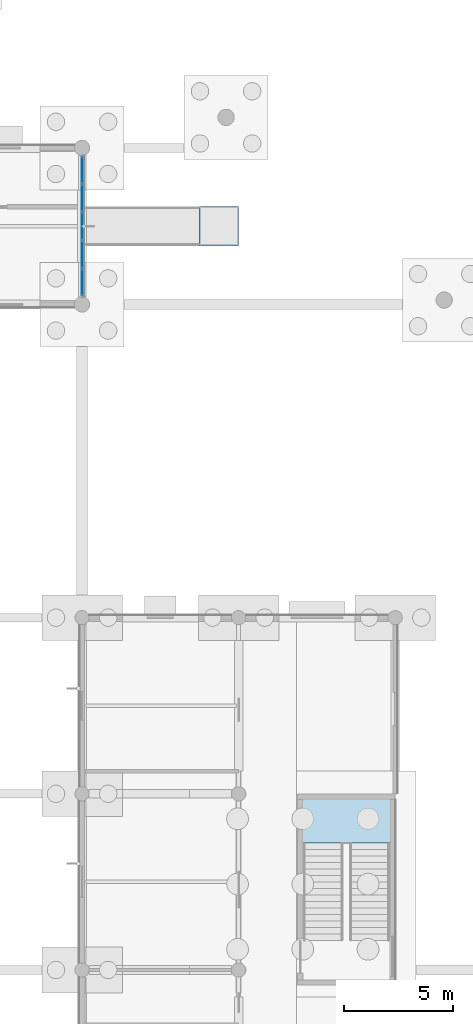
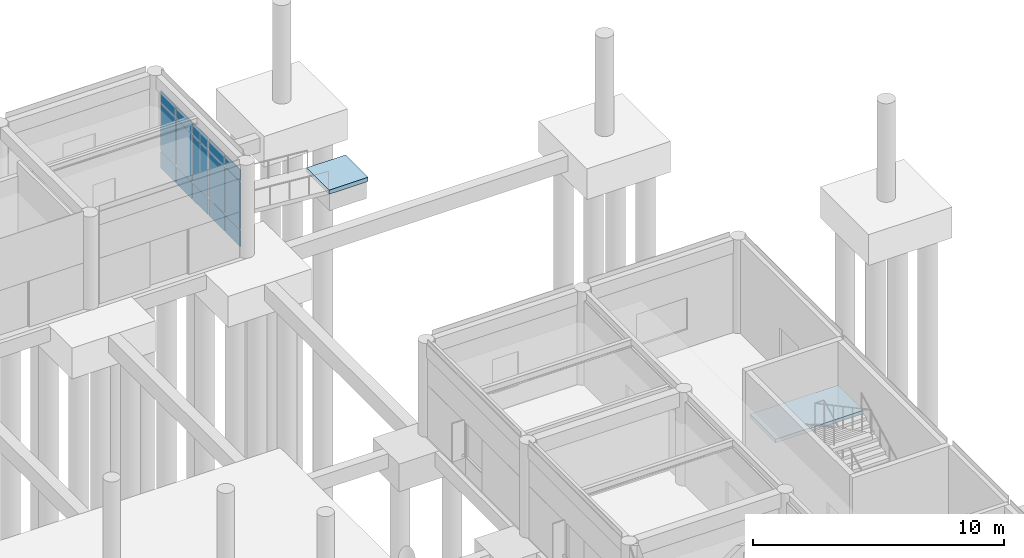
# One storey, part 51 of 103: 15 plates, 2 slabs, 3 elements without a shape of their own.
"""IFC4 building model written with IfcOpenShell, lengths in metres."""

from ifc_helpers import new_model, si_unit, direction, frame, origin, origin_2d, place, context, subcontext, project, spatial, polyline, rectangle, outline, extrude, material, layer, layer_set, type_object, element, aggregate, save


model = new_model("IFC4")

# Units and contexts
model_context = context("Model", 3, precision=1e-05, world=origin(), true_north=direction((0.0, 1.0)))
body_context = subcontext(model_context, "Body", "Model", "MODEL_VIEW")
ifc_project = project(units=[si_unit("LENGTHUNIT", "METRE"), si_unit("AREAUNIT", "SQUARE_METRE"), si_unit("VOLUMEUNIT", "CUBIC_METRE"), si_unit("PLANEANGLEUNIT", "RADIAN"), si_unit("MASSUNIT", "GRAM", prefix="KILO")], contexts=[model_context])

# Site, building, storey
site_placement = place(None, origin())
site = spatial("IfcSite", under=ifc_project, at=site_placement, CompositionType="ELEMENT")
building_placement = place(site_placement, origin())
building = spatial("IfcBuilding", under=site, at=building_placement, Name="Namkhue Oval Health Centre", CompositionType="ELEMENT")
storey_placement = place(building_placement, origin())
storey = spatial("IfcBuildingStorey", under=building, at=storey_placement, Name="L00", CompositionType="ELEMENT", Elevation=0.0)

# Curtain wall, plates
ifc_material_1 = material(Name="Anodised aluminium EN AW-6063 T6", Category="aluminium")
ifc_layer_1 = layer(ifc_material_1, 0.159912109375)
ifc_layer_set_1 = layer_set([ifc_layer_1], Name="Anodised aluminium EN AW-6063 T6")
curtain_wall_type = type_object("IfcCurtainWallType", Name="UNITISED CURTAIN WALL M1200", PredefinedType="NOTDEFINED", material=ifc_layer_set_1)
curtain_wall_placement = place(storey_placement, origin())
curtain_wall = element("IfcCurtainWall", 1, at=curtain_wall_placement, inside=storey, type_object=curtain_wall_type, Name="Volume V3 L00 Unitised Curtain Wall 91", PredefinedType="NOTDEFINED")
ifc_material_2 = material(Name="Insulated anodised aluminium spandrel panel", Category="aluminium")
ifc_layer_2 = layer(ifc_material_2, 0.031982421875)
ifc_layer_set_2 = layer_set([ifc_layer_2], Name="Insulated anodised aluminium spandrel panel")
plate_type = type_object("IfcPlateType", Name="CURTAIN WALL SPANDREL PANEL 32", PredefinedType="CURTAIN_PANEL", material=ifc_layer_set_2)
plate_1_placement = place(storey_placement, frame((136.800048828125, 91.024169921875, 0.06494140625), z_axis=(0.0, 0.0, 1.0), x_axis=(0.0, 1.0, 0.0)))
plate_1 = element("IfcPlate", 2, at=plate_1_placement, type_object=plate_type, Name="CW-01 panel 1.1", PredefinedType="CURTAIN_PANEL", context=body_context, shape_type="SweptSolid", body=[
    extrude(rectangle(XDim=1.198486328125, YDim=0.031982421875, at=origin_2d()), origin(), (0.0, 0.0, 1.0), 0.802490234375),
])
plate_2_placement = place(storey_placement, frame((136.800048828125, 91.024169921875, 0.932373046875), z_axis=(0.0, 0.0, 1.0), x_axis=(0.0, 1.0, 0.0)))
plate_2 = element("IfcPlate", 3, at=plate_2_placement, type_object=plate_type, Name="CW-01 panel 1.2", PredefinedType="CURTAIN_PANEL", context=body_context, shape_type="SweptSolid", body=[
    extrude(rectangle(XDim=1.198486328125, YDim=0.031982421875, at=origin_2d()), origin(), (0.0, 0.0, 1.0), 2.27001953125),
])
plate_3_placement = place(storey_placement, frame((136.800048828125, 91.024169921875, 3.267578125), z_axis=(0.0, 0.0, 1.0), x_axis=(0.0, 1.0, 0.0)))
plate_3 = element("IfcPlate", 4, at=plate_3_placement, type_object=plate_type, Name="CW-01 panel 1.3", PredefinedType="CURTAIN_PANEL", context=body_context, shape_type="SweptSolid", body=[
    extrude(rectangle(XDim=1.198486328125, YDim=0.031982421875, at=origin_2d()), origin(), (0.0, 0.0, 1.0), 0.552490234375),
])
plate_4_placement = place(storey_placement, frame((136.800048828125, 92.303955078125, 0.06494140625), z_axis=(0.0, 0.0, 1.0), x_axis=(0.0, 1.0, 0.0)))
plate_4 = element("IfcPlate", 5, at=plate_4_placement, type_object=plate_type, Name="CW-01 panel 2.1", PredefinedType="CURTAIN_PANEL", context=body_context, shape_type="SweptSolid", body=[
    extrude(rectangle(XDim=1.23095703125, YDim=0.031982421875, at=origin_2d()), origin(), (0.0, 0.0, 1.0), 0.802490234375),
])
plate_5_placement = place(storey_placement, frame((136.800048828125, 92.303955078125, 0.932373046875), z_axis=(0.0, 0.0, 1.0), x_axis=(0.0, 1.0, 0.0)))
plate_5 = element("IfcPlate", 6, at=plate_5_placement, type_object=plate_type, Name="CW-01 panel 2.2", PredefinedType="CURTAIN_PANEL", context=body_context, shape_type="SweptSolid", body=[
    extrude(rectangle(XDim=1.23095703125, YDim=0.031982421875, at=origin_2d()), origin(), (0.0, 0.0, 1.0), 2.27001953125),
])
plate_6_placement = place(storey_placement, frame((136.800048828125, 92.303955078125, 3.267578125), z_axis=(0.0, 0.0, 1.0), x_axis=(0.0, 1.0, 0.0)))
plate_6 = element("IfcPlate", 7, at=plate_6_placement, type_object=plate_type, Name="CW-01 panel 2.3", PredefinedType="CURTAIN_PANEL", context=body_context, shape_type="SweptSolid", body=[
    extrude(rectangle(XDim=1.23095703125, YDim=0.031982421875, at=origin_2d()), origin(), (0.0, 0.0, 1.0), 0.552490234375),
])
plate_7_placement = place(storey_placement, frame((136.800048828125, 93.60009765625, 0.06494140625), z_axis=(0.0, 0.0, 1.0), x_axis=(0.0, 1.0, 0.0)))
plate_7 = element("IfcPlate", 8, at=plate_7_placement, type_object=plate_type, Name="CW-01 panel 3.1", PredefinedType="CURTAIN_PANEL", context=body_context, shape_type="SweptSolid", body=[
    extrude(rectangle(XDim=1.23095703125, YDim=0.031982421875, at=origin_2d()), origin(), (0.0, 0.0, 1.0), 0.802490234375),
])
plate_8_placement = place(storey_placement, frame((136.800048828125, 93.60009765625, 0.932373046875), z_axis=(0.0, 0.0, 1.0), x_axis=(0.0, 1.0, 0.0)))
plate_8 = element("IfcPlate", 9, at=plate_8_placement, type_object=plate_type, Name="CW-01 panel 3.2", PredefinedType="CURTAIN_PANEL", context=body_context, shape_type="SweptSolid", body=[
    extrude(rectangle(XDim=1.23095703125, YDim=0.031982421875, at=origin_2d()), origin(), (0.0, 0.0, 1.0), 2.27001953125),
])
plate_9_placement = place(storey_placement, frame((136.800048828125, 93.60009765625, 3.267578125), z_axis=(0.0, 0.0, 1.0), x_axis=(0.0, 1.0, 0.0)))
plate_9 = element("IfcPlate", 10, at=plate_9_placement, type_object=plate_type, Name="CW-01 panel 3.3", PredefinedType="CURTAIN_PANEL", context=body_context, shape_type="SweptSolid", body=[
    extrude(rectangle(XDim=1.23095703125, YDim=0.031982421875, at=origin_2d()), origin(), (0.0, 0.0, 1.0), 0.552490234375),
])
plate_10_placement = place(storey_placement, frame((136.800048828125, 94.89599609375, 0.06494140625), z_axis=(0.0, 0.0, 1.0), x_axis=(0.0, 1.0, 0.0)))
plate_10 = element("IfcPlate", 11, at=plate_10_placement, type_object=plate_type, Name="CW-01 panel 4.1", PredefinedType="CURTAIN_PANEL", context=body_context, shape_type="SweptSolid", body=[
    extrude(rectangle(XDim=1.23095703125, YDim=0.031982421875, at=origin_2d()), origin(), (0.0, 0.0, 1.0), 0.802490234375),
])
plate_11_placement = place(storey_placement, frame((136.800048828125, 94.89599609375, 0.932373046875), z_axis=(0.0, 0.0, 1.0), x_axis=(0.0, 1.0, 0.0)))
plate_11 = element("IfcPlate", 12, at=plate_11_placement, type_object=plate_type, Name="CW-01 panel 4.2", PredefinedType="CURTAIN_PANEL", context=body_context, shape_type="SweptSolid", body=[
    extrude(rectangle(XDim=1.23095703125, YDim=0.031982421875, at=origin_2d()), origin(), (0.0, 0.0, 1.0), 2.27001953125),
])
plate_12_placement = place(storey_placement, frame((136.800048828125, 94.89599609375, 3.267578125), z_axis=(0.0, 0.0, 1.0), x_axis=(0.0, 1.0, 0.0)))
plate_12 = element("IfcPlate", 13, at=plate_12_placement, type_object=plate_type, Name="CW-01 panel 4.3", PredefinedType="CURTAIN_PANEL", context=body_context, shape_type="SweptSolid", body=[
    extrude(rectangle(XDim=1.23095703125, YDim=0.031982421875, at=origin_2d()), origin(), (0.0, 0.0, 1.0), 0.552490234375),
])
plate_13_placement = place(storey_placement, frame((136.800048828125, 96.17578125, 0.06494140625), z_axis=(0.0, 0.0, 1.0), x_axis=(0.0, 1.0, 0.0)))
plate_13 = element("IfcPlate", 14, at=plate_13_placement, type_object=plate_type, Name="CW-01 panel 5.1", PredefinedType="CURTAIN_PANEL", context=body_context, shape_type="SweptSolid", body=[
    extrude(rectangle(XDim=1.198486328125, YDim=0.031982421875, at=origin_2d()), origin(), (0.0, 0.0, 1.0), 0.802490234375),
])
plate_14_placement = place(storey_placement, frame((136.800048828125, 96.17578125, 0.932373046875), z_axis=(0.0, 0.0, 1.0), x_axis=(0.0, 1.0, 0.0)))
plate_14 = element("IfcPlate", 15, at=plate_14_placement, type_object=plate_type, Name="CW-01 panel 5.2", PredefinedType="CURTAIN_PANEL", context=body_context, shape_type="SweptSolid", body=[
    extrude(rectangle(XDim=1.198486328125, YDim=0.031982421875, at=origin_2d()), origin(), (0.0, 0.0, 1.0), 2.27001953125),
])
plate_15_placement = place(storey_placement, frame((136.800048828125, 96.17578125, 3.267578125), z_axis=(0.0, 0.0, 1.0), x_axis=(0.0, 1.0, 0.0)))
plate_15 = element("IfcPlate", 16, at=plate_15_placement, type_object=plate_type, Name="CW-01 panel 5.3", PredefinedType="CURTAIN_PANEL", context=body_context, shape_type="SweptSolid", body=[
    extrude(rectangle(XDim=1.198486328125, YDim=0.031982421875, at=origin_2d()), origin(), (0.0, 0.0, 1.0), 0.552490234375),
])
aggregate(curtain_wall, [plate_1, plate_2, plate_3, plate_4, plate_5, plate_6, plate_7, plate_8, plate_9, plate_10, plate_11, plate_12, plate_13, plate_14, plate_15])

# Ramp, slab
ifc_material_3 = material(Name="Reinforced concrete C30/37 (TCVN B35)", Category="concrete")
ramp_type = type_object("IfcRampType", Name="ACCESSIBLE ENTRANCE RAMP", PredefinedType="STRAIGHT_RUN_RAMP", material=ifc_material_3)
ramp_placement = place(storey_placement, origin())
ramp = element("IfcRamp", 17, at=ramp_placement, inside=storey, type_object=ramp_type, Name="East Specialist Clinic Arrival Ramp", PredefinedType="STRAIGHT_RUN_RAMP")
ifc_layer_3 = layer(ifc_material_3, 0.199951171875)
ifc_layer_set_3 = layer_set([ifc_layer_3], Name="Reinforced concrete C30/37 (TCVN B35)")
slab_type_1 = type_object("IfcSlabType", Name="RAMP LANDING SLAB 200", PredefinedType="LANDING", material=ifc_layer_set_3)
slab_1_placement = place(storey_placement, frame((0.0, 0.0, -0.64990234375)))
slab_1 = element("IfcSlab", 18, at=slab_1_placement, type_object=slab_type_1, Name="East Specialist Clinic Arrival Ramp Bottom Landing", PredefinedType="LANDING", context=body_context, shape_type="SweptSolid", body=[
    extrude(outline(polyline([(144.0, 94.5), (142.199951171875, 94.5), (142.199951171875, 92.699951171875), (144.0, 92.699951171875), (144.0, 94.5)])), origin(), (0.0, 0.0, 1.0), 0.199951171875),
])
aggregate(ramp, [slab_1])

# Stair, slab
stair_type = type_object("IfcStairType", Name="DOGLEG EXIT STAIR H4800", PredefinedType="HALF_TURN_STAIR", material=ifc_material_3)
stair_placement = place(storey_placement, origin())
stair = element("IfcStair", 19, at=stair_placement, inside=storey, type_object=stair_type, Name="Protected Exit Stair ST-12 L00", PredefinedType="HALF_TURN_STAIR")
ifc_layer_4 = layer(ifc_material_3, 0.179931640625)
ifc_layer_set_4 = layer_set([ifc_layer_4], Name="Reinforced concrete C30/37 (TCVN B35)")
slab_type_2 = type_object("IfcSlabType", Name="STAIR LANDING SLAB 180", PredefinedType="LANDING", material=ifc_layer_set_4)
slab_2_placement = place(storey_placement, frame((0.0, 0.0, 2.219970703125)))
slab_2 = element("IfcSlab", 20, at=slab_2_placement, type_object=slab_type_2, Name="ST-12 landing 1", PredefinedType="LANDING", context=body_context, shape_type="SweptSolid", body=[
    extrude(outline(polyline([(146.925048828125, 65.2451171875), (150.97509765625, 65.2451171875), (150.97509765625, 67.27490234375), (146.925048828125, 67.27490234375), (146.925048828125, 65.2451171875)])), origin(), (0.0, 0.0, 1.0), 0.179931640625),
])
aggregate(stair, [slab_2])

save(model, "model.ifc")
